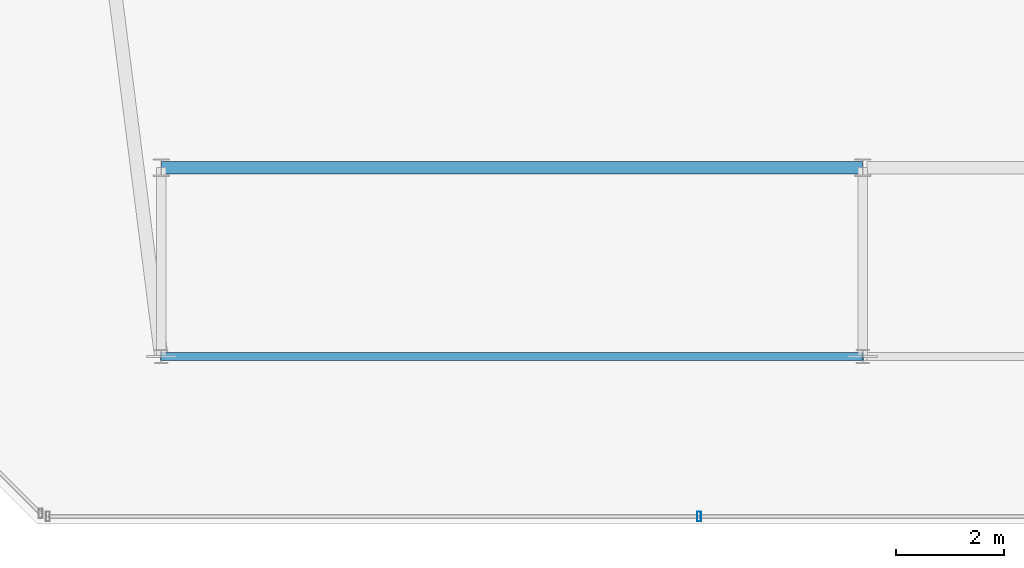
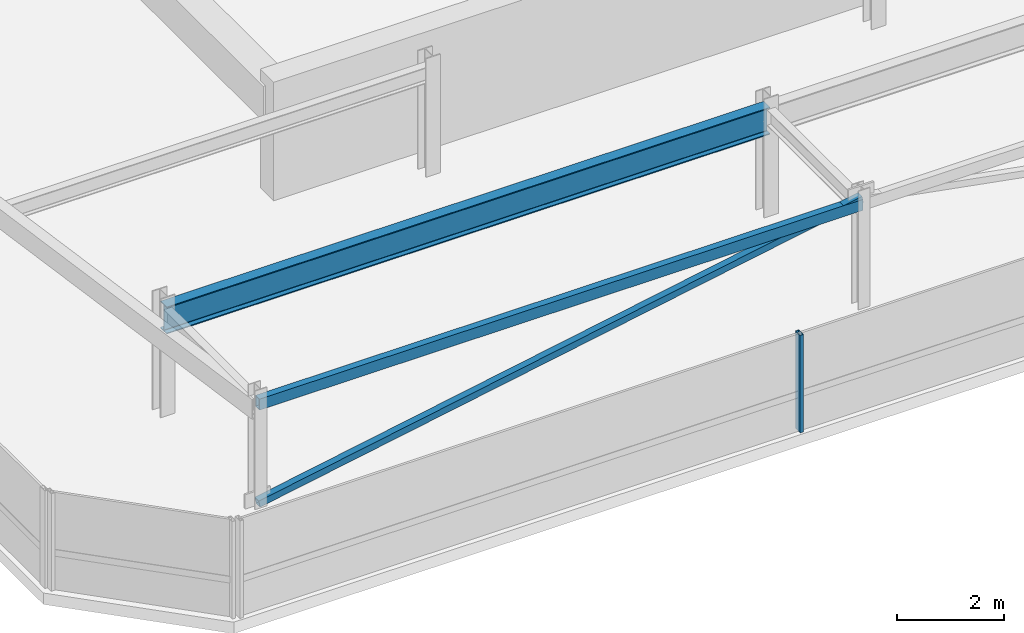
# One storey, part 10 of 44: 2 beams, 2 members, 1 element without a shape of its own.
"""IFC4 building model written with IfcOpenShell, lengths in metres."""

from ifc_helpers import new_model, si_unit, direction, frame, origin, origin_2d, place, context, subcontext, project, spatial, hollow_rectangle, i_section, extrude, material, material_profile, profile_set, type_object, element, aggregate, save


model = new_model("IFC4")

# Units and contexts
model_context = context("Model", 3, precision=1e-05, world=origin(), true_north=direction((0.0, 1.0)))
body_context = subcontext(model_context, "Body", "Model", "MODEL_VIEW")
ifc_project = project(units=[si_unit("LENGTHUNIT", "METRE"), si_unit("AREAUNIT", "SQUARE_METRE"), si_unit("VOLUMEUNIT", "CUBIC_METRE"), si_unit("PLANEANGLEUNIT", "RADIAN"), si_unit("MASSUNIT", "GRAM", prefix="KILO")], contexts=[model_context])

# Site, building, storey
site_placement = place(None, origin())
site = spatial("IfcSite", under=ifc_project, at=site_placement, CompositionType="ELEMENT")
building_placement = place(site_placement, origin())
building = spatial("IfcBuilding", under=site, at=building_placement, Name="Thornwick Lancets Civic Towers", CompositionType="ELEMENT")
storey_placement = place(building_placement, frame((0.0, 0.0, 294.89990234375)))
storey = spatial("IfcBuildingStorey", under=building, at=storey_placement, Name="C06", CompositionType="ELEMENT", Elevation=294.89990234375)

# Beams
ifc_material_1 = material(Name="Steel S355JR", Category="steel")
ifc_material_profile_1 = material_profile(ifc_material_1, hollow_rectangle(XDim=0.14990234375, YDim=0.25, WallThickness=0.012451171875, at=origin_2d()), Name="RHS 250x150x12.5")
ifc_profile_set_1 = profile_set([ifc_material_profile_1], Name="Steel S355JR")
beam_type_1 = type_object("IfcBeamType", Name="BM_CROWN_RHS250", PredefinedType="BEAM", material=ifc_profile_set_1)
beam_1_placement = place(storey_placement, frame((12.5, 6.199951171875, 2.315185546875), z_axis=(1.0, 0.0, 0.0), x_axis=(0.0, 1.0, 0.0)))
element("IfcBeam", 1, at=beam_1_placement, inside=storey, type_object=beam_type_1, Name="BM-EDGE-C06-A-S0-1", PredefinedType="BEAM", context=body_context, shape_type="SweptSolid", body=[
    extrude(hollow_rectangle(XDim=0.14990234375, YDim=0.25, WallThickness=0.012451171875, at=origin_2d()), origin(), (0.0, 0.0, 1.0), 13.0),
])
ifc_material_profile_2 = material_profile(ifc_material_1, i_section(OverallWidth=0.230224609375, OverallDepth=0.6171875, WebThickness=0.01318359375, FlangeThickness=0.022216796875, FilletRadius=0.0126953125, at=origin_2d()), Name="UKB 610x229x140")
ifc_profile_set_2 = profile_set([ifc_material_profile_2], Name="Steel S355JR")
beam_type_2 = type_object("IfcBeamType", Name="BM_GIRD_610_140", PredefinedType="BEAM", material=ifc_profile_set_2)
beam_2_placement = place(storey_placement, frame((12.5, 9.699951171875, 2.131591796875), z_axis=(1.0, 0.0, 0.0), x_axis=(0.0, 1.0, 0.0)))
element("IfcBeam", 2, at=beam_2_placement, inside=storey, type_object=beam_type_2, Name="BM-SPINE-C06-A-0-1", PredefinedType="BEAM", context=body_context, shape_type="SweptSolid", body=[
    extrude(i_section(OverallWidth=0.230224609375, OverallDepth=0.6171875, WebThickness=0.01318359375, FlangeThickness=0.022216796875, FilletRadius=0.0126953125, at=origin_2d()), origin(), (0.0, 0.0, 1.0), 13.0),
])

# Curtain wall, member
ifc_material_2 = material(Name="Crown ring acoustic-louvre and glazing screen wall", Category="glass")
curtain_wall_type = type_object("IfcCurtainWallType", Name="CW_SYS_07", PredefinedType="NOTDEFINED", material=ifc_material_2)
curtain_wall_placement = place(storey_placement, origin())
curtain_wall = element("IfcCurtainWall", 3, at=curtain_wall_placement, inside=storey, type_object=curtain_wall_type, Name="C06 Curtain Wall CW-C06-A-E0", PredefinedType="NOTDEFINED")
ifc_material_3 = material(Name="Thermally broken bronze aluminium S355", Category="steel")
ifc_material_profile_3 = material_profile(ifc_material_3, hollow_rectangle(XDim=0.074951171875, YDim=0.179931640625, WallThickness=0.006103515625, at=origin_2d()), Name="RHS 180x75x6")
ifc_profile_set_3 = profile_set([ifc_material_profile_3], Name="Thermally broken bronze aluminium S355")
member_type_1 = type_object("IfcMemberType", Name="CW_MUL_180", PredefinedType="MULLION", material=ifc_profile_set_3)
member_1_placement = place(storey_placement, frame((22.46630859375, 3.2353515625, 0.0), z_axis=(0.0, 0.0, 1.0), x_axis=(1.0, 0.0, 0.0)))
member_1 = element("IfcMember", 4, at=member_1_placement, type_object=member_type_1, Name="CW-C06-A-E0 Mullion 1", PredefinedType="MULLION", context=body_context, shape_type="SweptSolid", body=[
    extrude(hollow_rectangle(XDim=0.074951171875, YDim=0.179931640625, WallThickness=0.006103515625, at=origin_2d()), origin(), (0.0, 0.0, 1.0), 2.22021484375),
])
aggregate(curtain_wall, [member_1])

# Member
ifc_material_profile_4 = material_profile(ifc_material_1, hollow_rectangle(XDim=0.14990234375, YDim=0.14990234375, WallThickness=0.010009765625, at=origin_2d()), Name="SHS 150x150x10")
ifc_profile_set_4 = profile_set([ifc_material_profile_4], Name="Steel S355JR")
member_type_2 = type_object("IfcMemberType", Name="MEM_CROWN_SHS150", PredefinedType="BRACE", material=ifc_profile_set_4)
member_2_placement = place(storey_placement, frame((12.5, 6.199951171875, 0.050048828125), z_axis=(0.983515136313, 0.0, 0.180825818519), x_axis=(0.0, 1.0, 0.0)))
element("IfcMember", 5, at=member_2_placement, inside=storey, type_object=member_type_2, Name="C06 Crown Ring Lancet Rib A-S0-L", PredefinedType="BRACE", context=body_context, shape_type="SweptSolid", body=[
    extrude(hollow_rectangle(XDim=0.14990234375, YDim=0.14990234375, WallThickness=0.010009765625, at=origin_2d()), origin(), (0.0, 0.0, 1.0), 13.2177734375),
])

save(model, "model.ifc")
